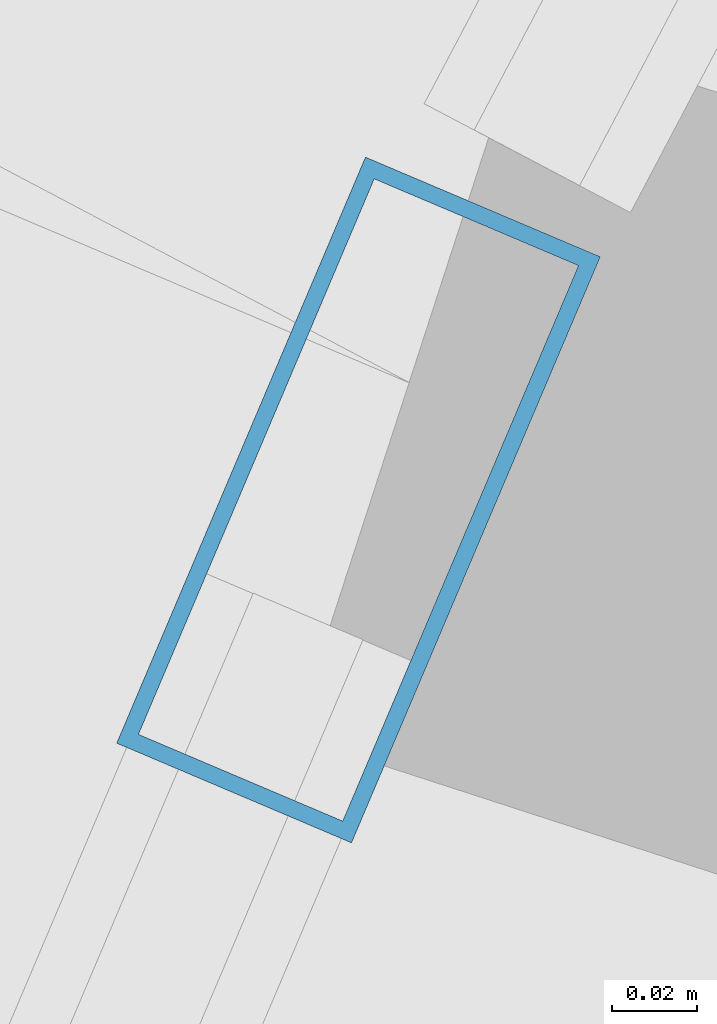
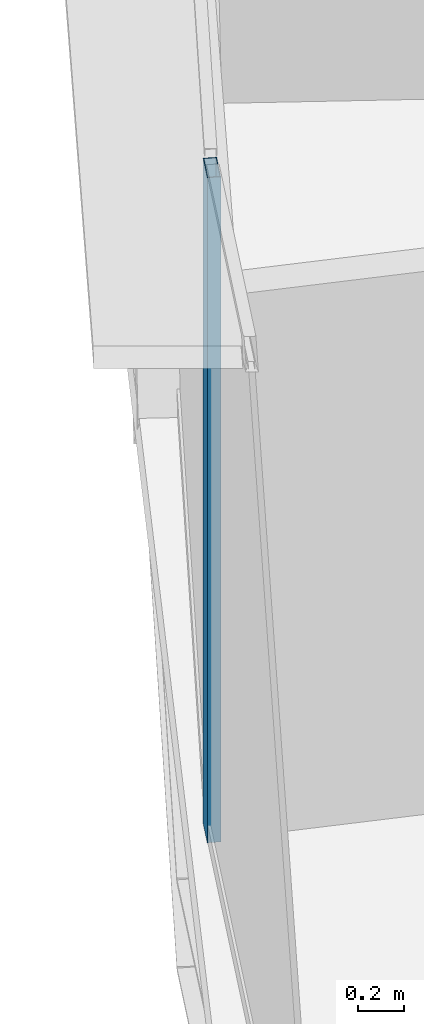
# One storey, part 8 of 40: 1 member, 1 element without a shape of its own.
"""IFC4 building model written with IfcOpenShell, lengths in metres."""

from ifc_helpers import new_model, si_unit, direction, frame, origin, origin_2d, place, context, subcontext, project, spatial, hollow_rectangle, extrude, source, transform, mapped, material, layer, layer_set, material_profile, profile_set, type_object, element, aggregate, save


model = new_model("IFC4")

# Units and contexts
model_context = context("Model", 3, precision=1e-05, world=origin(), true_north=direction((0.0, 1.0)))
body_context = subcontext(model_context, "Body", "Model", "MODEL_VIEW")
ifc_project = project(units=[si_unit("LENGTHUNIT", "METRE"), si_unit("AREAUNIT", "SQUARE_METRE"), si_unit("VOLUMEUNIT", "CUBIC_METRE"), si_unit("PLANEANGLEUNIT", "RADIAN"), si_unit("MASSUNIT", "GRAM", prefix="KILO"), si_unit("THERMODYNAMICTEMPERATUREUNIT", "KELVIN"), si_unit("POWERUNIT", "WATT")], contexts=[model_context])

# Site, building, storey
site_placement = place(None, origin())
site = spatial("IfcSite", under=ifc_project, at=site_placement, CompositionType="ELEMENT")
building_placement = place(site_placement, origin())
building = spatial("IfcBuilding", under=site, at=building_placement, Name="Yunzhuo Pagoda Commons", CompositionType="ELEMENT")
storey_placement = place(building_placement, frame((0.0, 0.0, 180.9599609375)))
storey = spatial("IfcBuildingStorey", under=building, at=storey_placement, Name="L45", CompositionType="ELEMENT", Elevation=180.9599609375)

# Curtain wall, member
ifc_material = material(Name="Anodized aluminium 6063-T6", Category="aluminium")
ifc_layer = layer(ifc_material, 0.14990234375)
ifc_layer_set = layer_set([ifc_layer], Name="Anodized aluminium 6063-T6")
curtain_wall_type = type_object("IfcCurtainWallType", Name="CW-MID Mid-Zone Ribbon Curtain Wall", PredefinedType="NOTDEFINED", material=ifc_layer_set)
curtain_wall_placement = place(storey_placement, origin())
curtain_wall = element("IfcCurtainWall", 1, at=curtain_wall_placement, inside=storey, type_object=curtain_wall_type, Name="L45 curtain wall CW-L45-F3B4", PredefinedType="NOTDEFINED")
ifc_material_profile = material_profile(ifc_material, hollow_rectangle(XDim=0.06005859375, YDim=0.14990234375, WallThickness=0.00390625, at=origin_2d()), Name="Anodized aluminium 6063-T6")
ifc_profile_set = profile_set([ifc_material_profile], Name="Anodized aluminium 6063-T6")
member_type = type_object("IfcMemberType", Name="CW-MID-M Mullion RHS 150x60x4", PredefinedType="MULLION", material=ifc_profile_set)
shared_shape = source(origin(), body_context, "Body", "SweptSolid", [
    extrude(hollow_rectangle(XDim=0.06005859375, YDim=0.14990234375, WallThickness=0.00390625, at=origin_2d()), origin(), (0.0, 0.0, 1.0), 3.5400390625),
])
member_placement = place(storey_placement, frame((17.34326171875, 43.629638671875, 0.0), z_axis=(0.0, 0.0, 1.0), x_axis=(0.920515325194, -0.390706457693, 0.0)))
member = element("IfcMember", 2, at=member_placement, type_object=member_type, Name="CW mullion 1", PredefinedType="MULLION", context=body_context, shape_type="MappedRepresentation", body=[
    mapped(shared_shape, transform((0.0, 0.0, 0.0), scale=1.0)),
])
aggregate(curtain_wall, [member])

save(model, "model.ifc")
